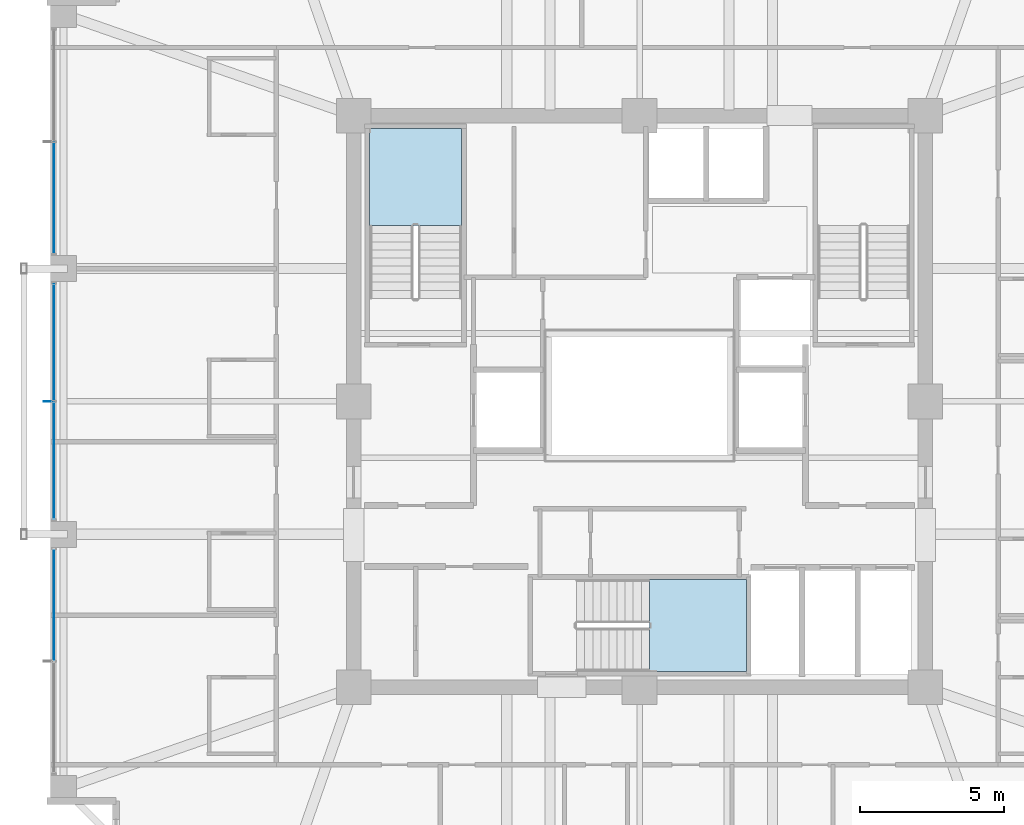
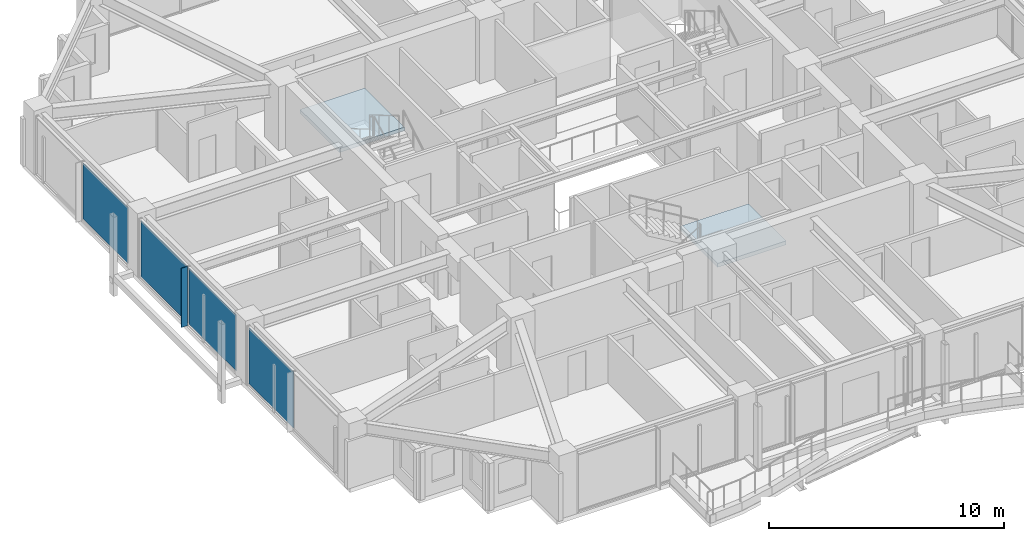
# One storey, part 26 of 37: 5 plates, 2 slabs, 5 elements without a shape of their own.
"""IFC4 building model written with IfcOpenShell, lengths in metres."""

from ifc_helpers import new_model, si_unit, direction, frame, origin, origin_2d, place, context, subcontext, project, spatial, polyline, rectangle, outline, extrude, material, layer, layer_set, type_object, element, aggregate, save


model = new_model("IFC4")

# Units and contexts
model_context = context("Model", 3, precision=1e-05, world=origin(), true_north=direction((0.0, 1.0)))
body_context = subcontext(model_context, "Body", "Model", "MODEL_VIEW")
ifc_project = project(units=[si_unit("LENGTHUNIT", "METRE"), si_unit("AREAUNIT", "SQUARE_METRE"), si_unit("VOLUMEUNIT", "CUBIC_METRE"), si_unit("PLANEANGLEUNIT", "RADIAN"), si_unit("MASSUNIT", "GRAM", prefix="KILO")], contexts=[model_context])

# Site, building, storey
site_placement = place(None, origin())
site = spatial("IfcSite", under=ifc_project, at=site_placement, CompositionType="ELEMENT")
building_placement = place(site_placement, origin())
building = spatial("IfcBuilding", under=site, at=building_placement, Name="Kolvaren Belvedere", CompositionType="ELEMENT")
storey_placement = place(building_placement, frame((0.0, 0.0, 173.39990234375)))
storey = spatial("IfcBuildingStorey", under=building, at=storey_placement, Name="L50", CompositionType="ELEMENT", Elevation=173.39990234375)

# Curtain wall, plate
ifc_material_1 = material(Name="Anodised pale-metal aluminium AA 6063-T6", Category="aluminium")
curtain_wall_type = type_object("IfcCurtainWallType", Name="CW-Z5-HIGH", PredefinedType="NOTDEFINED", material=ifc_material_1)
curtain_wall_1_placement = place(storey_placement, origin())
curtain_wall_1 = element("IfcCurtainWall", 1, at=curtain_wall_1_placement, inside=storey, type_object=curtain_wall_type, Name="L50 Unitised Curtain Wall FCW-L50-W-B1", PredefinedType="NOTDEFINED")
ifc_material_2 = material(Name="Low-iron triple insulated glass", Category="glass")
ifc_layer_1 = layer(ifc_material_2, 0.028076171875)
ifc_layer_set_1 = layer_set([ifc_layer_1], Name="Low-iron triple insulated glass")
plate_type_1 = type_object("IfcPlateType", Name="CW-PNL-VIS28", PredefinedType="CURTAIN_PANEL", material=ifc_layer_set_1)
plate_1_placement = place(storey_placement, frame((-20.280029296875, -7.052490234375, 0.080078125), z_axis=(0.0, 0.0, 1.0), x_axis=(0.0, 1.0, 0.0)))
plate_1 = element("IfcPlate", 2, at=plate_1_placement, type_object=plate_type_1, Name="FCW-L50-W-B1 Vision Glazing Panel 2", PredefinedType="CURTAIN_PANEL", context=body_context, shape_type="SweptSolid", body=[
    extrude(rectangle(XDim=3.81494140625, YDim=0.028076171875, at=origin_2d()), origin(), (0.0, 0.0, 1.0), 2.919921875),
])
aggregate(curtain_wall_1, [plate_1])

# Curtain wall, plates
curtain_wall_2_placement = place(storey_placement, origin())
curtain_wall_2 = element("IfcCurtainWall", 3, at=curtain_wall_2_placement, inside=storey, type_object=curtain_wall_type, Name="L50 Unitised Curtain Wall FCW-L50-W-B2", PredefinedType="NOTDEFINED")
plate_2_placement = place(storey_placement, frame((-20.280029296875, -2.047607421875, 0.080078125), z_axis=(0.0, 0.0, 1.0), x_axis=(0.0, 1.0, 0.0)))
plate_2 = element("IfcPlate", 4, at=plate_2_placement, type_object=plate_type_1, Name="FCW-L50-W-B2 Vision Glazing Panel 1", PredefinedType="CURTAIN_PANEL", context=body_context, shape_type="SweptSolid", body=[
    extrude(rectangle(XDim=4.014892578125, YDim=0.028076171875, at=origin_2d()), origin(), (0.0, 0.0, 1.0), 2.919921875),
])
plate_3_placement = place(storey_placement, frame((-20.280029296875, 2.047607421875, 0.080078125), z_axis=(0.0, 0.0, 1.0), x_axis=(0.0, 1.0, 0.0)))
plate_3 = element("IfcPlate", 5, at=plate_3_placement, type_object=plate_type_1, Name="FCW-L50-W-B2 Vision Glazing Panel 2", PredefinedType="CURTAIN_PANEL", context=body_context, shape_type="SweptSolid", body=[
    extrude(rectangle(XDim=4.014892578125, YDim=0.028076171875, at=origin_2d()), origin(), (0.0, 0.0, 1.0), 2.919921875),
])
aggregate(curtain_wall_2, [plate_2, plate_3])

# Curtain wall, plate
curtain_wall_3_placement = place(storey_placement, origin())
curtain_wall_3 = element("IfcCurtainWall", 6, at=curtain_wall_3_placement, inside=storey, type_object=curtain_wall_type, Name="L50 Unitised Curtain Wall FCW-L50-W-B3", PredefinedType="NOTDEFINED")
plate_4_placement = place(storey_placement, frame((-20.280029296875, 7.052490234375, 0.080078125), z_axis=(0.0, 0.0, 1.0), x_axis=(0.0, 1.0, 0.0)))
plate_4 = element("IfcPlate", 7, at=plate_4_placement, type_object=plate_type_1, Name="FCW-L50-W-B3 Vision Glazing Panel 1", PredefinedType="CURTAIN_PANEL", context=body_context, shape_type="SweptSolid", body=[
    extrude(rectangle(XDim=3.81494140625, YDim=0.028076171875, at=origin_2d()), origin(), (0.0, 0.0, 1.0), 2.919921875),
])
aggregate(curtain_wall_3, [plate_4])

# Plate
ifc_material_3 = material(Name="Anodised pale-metal aluminium AA 6063-T6", Category="aluminium")
ifc_layer_2 = layer(ifc_material_3, 0.030029296875)
ifc_layer_set_2 = layer_set([ifc_layer_2], Name="Anodised pale-metal aluminium AA 6063-T6")
plate_type_2 = type_object("IfcPlateType", Name="FIN-VERT-300", PredefinedType="USERDEFINED", material=ifc_layer_set_2)
plate_5_placement = place(storey_placement, frame((-20.489990234375, 0.0, 0.0), z_axis=(0.0, 0.0, 1.0), x_axis=(1.0, 0.0, 0.0)))
element("IfcPlate", 8, at=plate_5_placement, inside=storey, type_object=plate_type_2, Name="L50 Pale-Metal Vertical Shading Fin FCW-L50-W-B2-1", ObjectType="VERTICAL FIN", PredefinedType="USERDEFINED", context=body_context, shape_type="SweptSolid", body=[
    extrude(rectangle(XDim=0.300048828125, YDim=0.030029296875, at=origin_2d()), origin(), (0.0, 0.0, 1.0), 3.080078125),
])

# Stair, slab
ifc_material_4 = material(Name="Concrete C50/60", Category="concrete")
stair_type = type_object("IfcStairType", Name="ST-CORE-1520", PredefinedType="HALF_TURN_STAIR", material=ifc_material_4)
stair_1_placement = place(storey_placement, origin())
stair_1 = element("IfcStair", 9, at=stair_1_placement, inside=storey, type_object=stair_type, Name="L50 Protected Exit Stair ST-1", PredefinedType="HALF_TURN_STAIR")
ifc_material_5 = material(Name="Concrete C50/60", Category="concrete")
ifc_layer_3 = layer(ifc_material_5, 0.260009765625)
ifc_layer_set_3 = layer_set([ifc_layer_3], Name="Concrete C50/60")
slab_type = type_object("IfcSlabType", Name="SL-LAND-260", PredefinedType="LANDING", material=ifc_layer_set_3)
slab_1_placement = place(storey_placement, frame((0.0, 0.0, 1.4501953125)))
slab_1 = element("IfcSlab", 10, at=slab_1_placement, type_object=slab_type, Name="ST-1 landing 1", PredefinedType="LANDING", context=body_context, shape_type="SweptSolid", body=[
    extrude(outline(polyline([(-6.159912109375, 6.090087890625), (-6.159912109375, 9.449951171875), (-9.35009765625, 9.449951171875), (-9.35009765625, 6.090087890625), (-6.159912109375, 6.090087890625)])), origin(), (0.0, 0.0, 1.0), 0.199951171875),
])
aggregate(stair_1, [slab_1])

stair_2_placement = place(storey_placement, origin())
stair_2 = element("IfcStair", 11, at=stair_2_placement, inside=storey, type_object=stair_type, Name="L50 Protected Exit Stair ST-3", PredefinedType="HALF_TURN_STAIR")
slab_2_placement = place(storey_placement, frame((0.0, 0.0, 1.4501953125)))
slab_2 = element("IfcSlab", 12, at=slab_2_placement, type_object=slab_type, Name="ST-3 landing 1", PredefinedType="LANDING", context=body_context, shape_type="SweptSolid", body=[
    extrude(outline(polyline([(0.340087890625, -9.35009765625), (3.699951171875, -9.35009765625), (3.699951171875, -6.159912109375), (0.340087890625, -6.159912109375), (0.340087890625, -9.35009765625)])), origin(), (0.0, 0.0, 1.0), 0.199951171875),
])
aggregate(stair_2, [slab_2])

save(model, "model.ifc")
